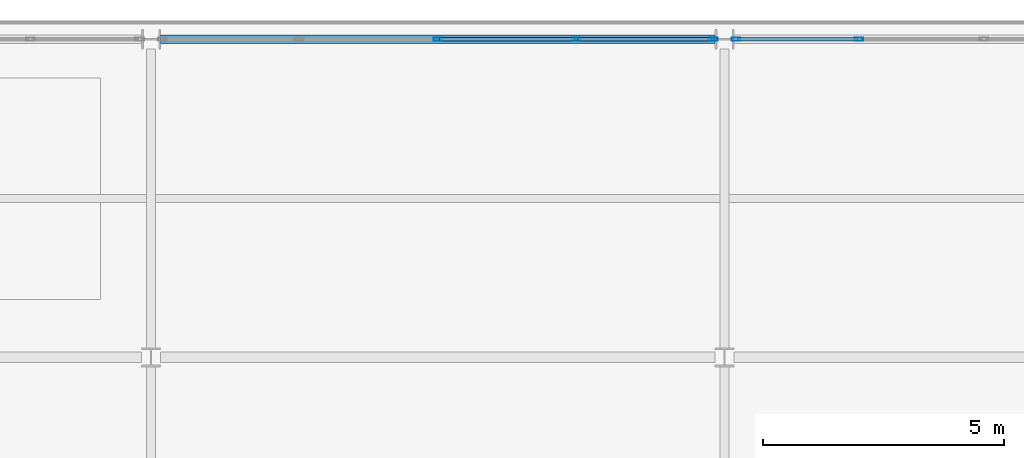
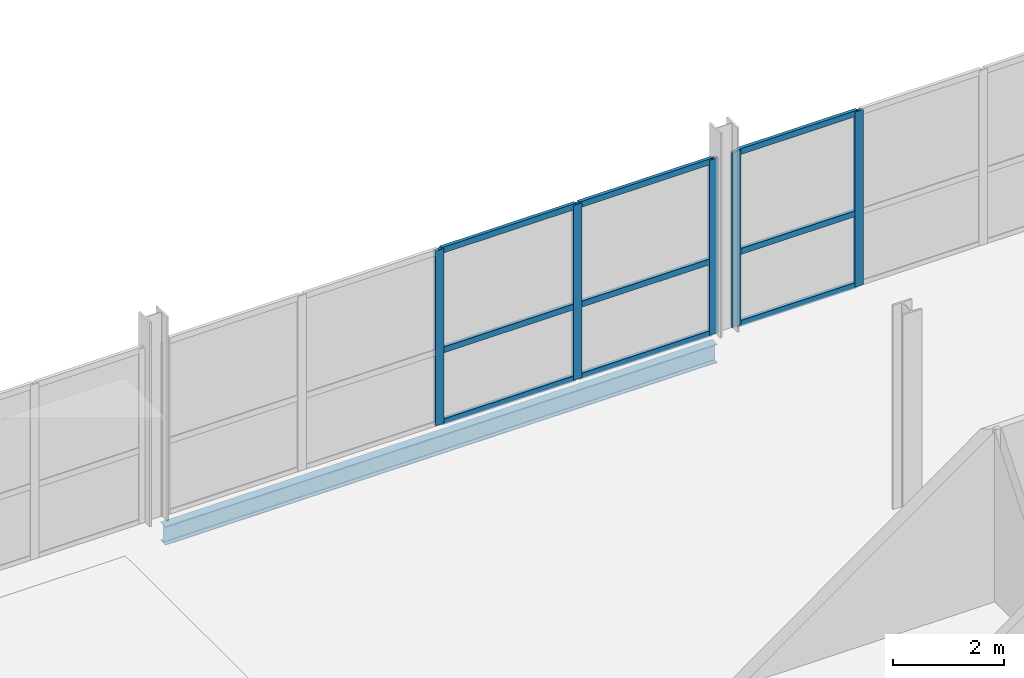
# One storey, part 37 of 77: 14 members, 1 beam, 2 elements without a shape of their own.
"""IFC4 building model written with IfcOpenShell, lengths in metres."""

from ifc_helpers import new_model, si_unit, direction, frame, origin, origin_2d, place, context, subcontext, project, spatial, hollow_rectangle, i_section, extrude, material, layer, layer_set, material_profile, profile_set, type_object, element, aggregate, save


model = new_model("IFC4")

# Units and contexts
model_context = context("Model", 3, precision=1e-05, world=origin(), true_north=direction((0.0, 1.0)))
body_context = subcontext(model_context, "Body", "Model", "MODEL_VIEW")
ifc_project = project(units=[si_unit("LENGTHUNIT", "METRE"), si_unit("AREAUNIT", "SQUARE_METRE"), si_unit("VOLUMEUNIT", "CUBIC_METRE"), si_unit("PLANEANGLEUNIT", "RADIAN"), si_unit("MASSUNIT", "GRAM", prefix="KILO")], contexts=[model_context])

# Site, building, storey
site_placement = place(None, origin())
site = spatial("IfcSite", under=ifc_project, at=site_placement, CompositionType="ELEMENT")
building_placement = place(site_placement, origin())
building = spatial("IfcBuilding", under=site, at=building_placement, Name="Quillay Park Conservatory", CompositionType="ELEMENT")
storey_placement = place(building_placement, frame((0.0, 0.0, 5.39990234375)))
storey = spatial("IfcBuildingStorey", under=building, at=storey_placement, Name="L01", CompositionType="ELEMENT", Elevation=5.39990234375)

# Curtain wall, members
ifc_material_1 = material(Name="Thermally Broken Anodised Aluminium 6063-T6", Category="aluminium")
ifc_layer = layer(ifc_material_1, 0.179931640625)
ifc_layer_set = layer_set([ifc_layer], Name="UNITISED CURTAIN WALL TOWER (Thermally Broken Anodised Aluminium 6063-T6)")
curtain_wall_type = type_object("IfcCurtainWallType", Name="UNITISED CURTAIN WALL TOWER", PredefinedType="USERDEFINED", material=ifc_layer_set)
curtain_wall_1_placement = place(storey_placement, origin())
curtain_wall_1 = element("IfcCurtainWall", 1, at=curtain_wall_1_placement, inside=storey, type_object=curtain_wall_type, Name="L01 Unitised Curtain Wall 017", ObjectType="UNITISED CURTAIN WALL", PredefinedType="USERDEFINED")
ifc_material_2 = material(Name="Thermally Broken Anodised Aluminium 6063-T6", Category="aluminium")
ifc_material_profile_1 = material_profile(ifc_material_2, hollow_rectangle(XDim=0.070068359375, YDim=0.179931640625, WallThickness=0.00390625, at=origin_2d()), Name="AL70x180x4")
ifc_profile_set_1 = profile_set([ifc_material_profile_1], Name="Thermally Broken Anodised Aluminium 6063-T6")
member_type_1 = type_object("IfcMemberType", Name="CURTAIN WALL MULLION 70 X180", PredefinedType="MULLION", material=ifc_profile_set_1)
member_1_placement = place(storey_placement, frame((13.800048828125, 113.39990234375, 0.0), z_axis=(0.0, 0.0, 1.0), x_axis=(0.0, 1.0, 0.0)))
member_1 = element("IfcMember", 2, at=member_1_placement, type_object=member_type_1, Name="CW-T1 mullion 3", PredefinedType="MULLION", context=body_context, shape_type="SweptSolid", body=[
    extrude(hollow_rectangle(XDim=0.070068359375, YDim=0.179931640625, WallThickness=0.00390625, at=origin_2d()), origin(), (0.0, 0.0, 1.0), 3.859130859375),
])
member_2_placement = place(storey_placement, frame((16.675048828125, 113.39990234375, 0.0), z_axis=(0.0, 0.0, 1.0), x_axis=(0.0, 1.0, 0.0)))
member_2 = element("IfcMember", 3, at=member_2_placement, type_object=member_type_1, Name="CW-T1 mullion 4", PredefinedType="MULLION", context=body_context, shape_type="SweptSolid", body=[
    extrude(hollow_rectangle(XDim=0.070068359375, YDim=0.179931640625, WallThickness=0.00390625, at=origin_2d()), origin(), (0.0, 0.0, 1.0), 3.859130859375),
])
member_3_placement = place(storey_placement, frame((19.514892578125, 113.39990234375, 0.0), z_axis=(0.0, 0.0, 1.0), x_axis=(0.0, 1.0, 0.0)))
member_3 = element("IfcMember", 4, at=member_3_placement, type_object=member_type_1, Name="CW-T1 mullion 5", PredefinedType="MULLION", context=body_context, shape_type="SweptSolid", body=[
    extrude(hollow_rectangle(XDim=0.070068359375, YDim=0.179931640625, WallThickness=0.00390625, at=origin_2d()), origin(), (0.0, 0.0, 1.0), 3.859130859375),
])

curtain_wall_2_placement = place(storey_placement, origin())
curtain_wall_2 = element("IfcCurtainWall", 5, at=curtain_wall_2_placement, inside=storey, type_object=curtain_wall_type, Name="L01 Unitised Curtain Wall 018", ObjectType="UNITISED CURTAIN WALL", PredefinedType="USERDEFINED")
member_4_placement = place(storey_placement, frame((19.985107421875, 113.39990234375, 0.0), z_axis=(0.0, 0.0, 1.0), x_axis=(0.0, 1.0, 0.0)))
member_4 = element("IfcMember", 6, at=member_4_placement, type_object=member_type_1, Name="CW-T1 mullion 1", PredefinedType="MULLION", context=body_context, shape_type="SweptSolid", body=[
    extrude(hollow_rectangle(XDim=0.070068359375, YDim=0.179931640625, WallThickness=0.00390625, at=origin_2d()), origin(), (0.0, 0.0, 1.0), 3.859130859375),
])
member_5_placement = place(storey_placement, frame((22.541748046875, 113.39990234375, 0.0), z_axis=(0.0, 0.0, 1.0), x_axis=(0.0, 1.0, 0.0)))
member_5 = element("IfcMember", 7, at=member_5_placement, type_object=member_type_1, Name="CW-T1 mullion 2", PredefinedType="MULLION", context=body_context, shape_type="SweptSolid", body=[
    extrude(hollow_rectangle(XDim=0.070068359375, YDim=0.179931640625, WallThickness=0.00390625, at=origin_2d()), origin(), (0.0, 0.0, 1.0), 3.859130859375),
])

# Member
ifc_material_3 = material(Name="Thermally Broken Anodised Aluminium 6063-T6", Category="aluminium")
ifc_material_profile_2 = material_profile(ifc_material_3, hollow_rectangle(XDim=0.070068359375, YDim=0.1298828125, WallThickness=0.003173828125, at=origin_2d()), Name="AL70x130x3.2")
ifc_profile_set_2 = profile_set([ifc_material_profile_2], Name="Thermally Broken Anodised Aluminium 6063-T6")
member_type_2 = type_object("IfcMemberType", Name="CURTAIN WALL TRANSOM 70 X130", PredefinedType="USERDEFINED", material=ifc_profile_set_2)
member_6_placement = place(storey_placement, frame((13.8349609375, 113.39990234375, 0.03515625), z_axis=(1.0, 0.0, 0.0), x_axis=(0.0, 1.0, 0.0)))
member_6 = element("IfcMember", 8, at=member_6_placement, type_object=member_type_2, Name="CW-T1 transom 3.1", ObjectType="TRANSOM", PredefinedType="USERDEFINED", context=body_context, shape_type="SweptSolid", body=[
    extrude(hollow_rectangle(XDim=0.070068359375, YDim=0.1298828125, WallThickness=0.003173828125, at=origin_2d()), origin(), (0.0, 0.0, 1.0), 2.804931640625),
])

member_7_placement = place(storey_placement, frame((13.8349609375, 113.39990234375, 1.620849609375), z_axis=(1.0, 0.0, 0.0), x_axis=(0.0, 1.0, 0.0)))
member_7 = element("IfcMember", 9, at=member_7_placement, type_object=member_type_2, Name="CW-T1 transom 3.2", ObjectType="TRANSOM", PredefinedType="USERDEFINED", context=body_context, shape_type="SweptSolid", body=[
    extrude(hollow_rectangle(XDim=0.070068359375, YDim=0.1298828125, WallThickness=0.003173828125, at=origin_2d()), origin(), (0.0, 0.0, 1.0), 2.804931640625),
])

member_8_placement = place(storey_placement, frame((13.8349609375, 113.39990234375, 3.82421875), z_axis=(1.0, 0.0, 0.0), x_axis=(0.0, 1.0, 0.0)))
member_8 = element("IfcMember", 10, at=member_8_placement, type_object=member_type_2, Name="CW-T1 transom 3.3", ObjectType="TRANSOM", PredefinedType="USERDEFINED", context=body_context, shape_type="SweptSolid", body=[
    extrude(hollow_rectangle(XDim=0.070068359375, YDim=0.1298828125, WallThickness=0.003173828125, at=origin_2d()), origin(), (0.0, 0.0, 1.0), 2.804931640625),
])

member_9_placement = place(storey_placement, frame((16.7099609375, 113.39990234375, 0.03515625), z_axis=(1.0, 0.0, 0.0), x_axis=(0.0, 1.0, 0.0)))
member_9 = element("IfcMember", 11, at=member_9_placement, type_object=member_type_2, Name="CW-T1 transom 4.1", ObjectType="TRANSOM", PredefinedType="USERDEFINED", context=body_context, shape_type="SweptSolid", body=[
    extrude(hollow_rectangle(XDim=0.070068359375, YDim=0.1298828125, WallThickness=0.003173828125, at=origin_2d()), origin(), (0.0, 0.0, 1.0), 2.77001953125),
])

member_10_placement = place(storey_placement, frame((16.7099609375, 113.39990234375, 1.620849609375), z_axis=(1.0, 0.0, 0.0), x_axis=(0.0, 1.0, 0.0)))
member_10 = element("IfcMember", 12, at=member_10_placement, type_object=member_type_2, Name="CW-T1 transom 4.2", ObjectType="TRANSOM", PredefinedType="USERDEFINED", context=body_context, shape_type="SweptSolid", body=[
    extrude(hollow_rectangle(XDim=0.070068359375, YDim=0.1298828125, WallThickness=0.003173828125, at=origin_2d()), origin(), (0.0, 0.0, 1.0), 2.77001953125),
])

member_11_placement = place(storey_placement, frame((16.7099609375, 113.39990234375, 3.82421875), z_axis=(1.0, 0.0, 0.0), x_axis=(0.0, 1.0, 0.0)))
member_11 = element("IfcMember", 13, at=member_11_placement, type_object=member_type_2, Name="CW-T1 transom 4.3", ObjectType="TRANSOM", PredefinedType="USERDEFINED", context=body_context, shape_type="SweptSolid", body=[
    extrude(hollow_rectangle(XDim=0.070068359375, YDim=0.1298828125, WallThickness=0.003173828125, at=origin_2d()), origin(), (0.0, 0.0, 1.0), 2.77001953125),
])

aggregate(curtain_wall_1, [member_1, member_2, member_3, member_6, member_7, member_8, member_9, member_10, member_11])

member_12_placement = place(storey_placement, frame((20.02001953125, 113.39990234375, 0.03515625), z_axis=(1.0, 0.0, 0.0), x_axis=(0.0, 1.0, 0.0)))
member_12 = element("IfcMember", 14, at=member_12_placement, type_object=member_type_2, Name="CW-T1 transom 1.1", ObjectType="TRANSOM", PredefinedType="USERDEFINED", context=body_context, shape_type="SweptSolid", body=[
    extrude(hollow_rectangle(XDim=0.070068359375, YDim=0.1298828125, WallThickness=0.003173828125, at=origin_2d()), origin(), (0.0, 0.0, 1.0), 2.486572265625),
])

member_13_placement = place(storey_placement, frame((20.02001953125, 113.39990234375, 1.620849609375), z_axis=(1.0, 0.0, 0.0), x_axis=(0.0, 1.0, 0.0)))
member_13 = element("IfcMember", 15, at=member_13_placement, type_object=member_type_2, Name="CW-T1 transom 1.2", ObjectType="TRANSOM", PredefinedType="USERDEFINED", context=body_context, shape_type="SweptSolid", body=[
    extrude(hollow_rectangle(XDim=0.070068359375, YDim=0.1298828125, WallThickness=0.003173828125, at=origin_2d()), origin(), (0.0, 0.0, 1.0), 2.486572265625),
])

member_14_placement = place(storey_placement, frame((20.02001953125, 113.39990234375, 3.82421875), z_axis=(1.0, 0.0, 0.0), x_axis=(0.0, 1.0, 0.0)))
member_14 = element("IfcMember", 16, at=member_14_placement, type_object=member_type_2, Name="CW-T1 transom 1.3", ObjectType="TRANSOM", PredefinedType="USERDEFINED", context=body_context, shape_type="SweptSolid", body=[
    extrude(hollow_rectangle(XDim=0.070068359375, YDim=0.1298828125, WallThickness=0.003173828125, at=origin_2d()), origin(), (0.0, 0.0, 1.0), 2.486572265625),
])

aggregate(curtain_wall_2, [member_4, member_5, member_12, member_13, member_14])

# Beam
ifc_material_4 = material(Name="Steel ASTM A992 Grade 50", Category="steel")
ifc_material_profile_3 = material_profile(ifc_material_4, i_section(OverallWidth=0.179931640625, OverallDepth=0.4130859375, WebThickness=0.009765625, FlangeThickness=0.01611328125, FilletRadius=0.011962890625, at=origin_2d()), Name="W410x74")
ifc_profile_set_3 = profile_set([ifc_material_profile_3], Name="Steel ASTM A992 Grade 50")
beam_type = type_object("IfcBeamType", Name="PERIMETER SPANDREL BEAM W410 X74", PredefinedType="SPANDREL", material=ifc_profile_set_3)
beam_placement = place(storey_placement, frame((8.04638671875, 113.39990234375, -0.406494140625), z_axis=(1.0, 0.0, 0.0), x_axis=(0.0, 1.0, 0.0)))
element("IfcBeam", 17, at=beam_placement, inside=storey, type_object=beam_type, Name="L01 beam BM-SP-0128", PredefinedType="SPANDREL", context=body_context, shape_type="SweptSolid", body=[
    extrude(i_section(OverallWidth=0.179931640625, OverallDepth=0.4130859375, WebThickness=0.009765625, FlangeThickness=0.01611328125, FilletRadius=0.011962890625, at=origin_2d()), origin(), (0.0, 0.0, 1.0), 11.507080078125),
])

save(model, "model.ifc")
